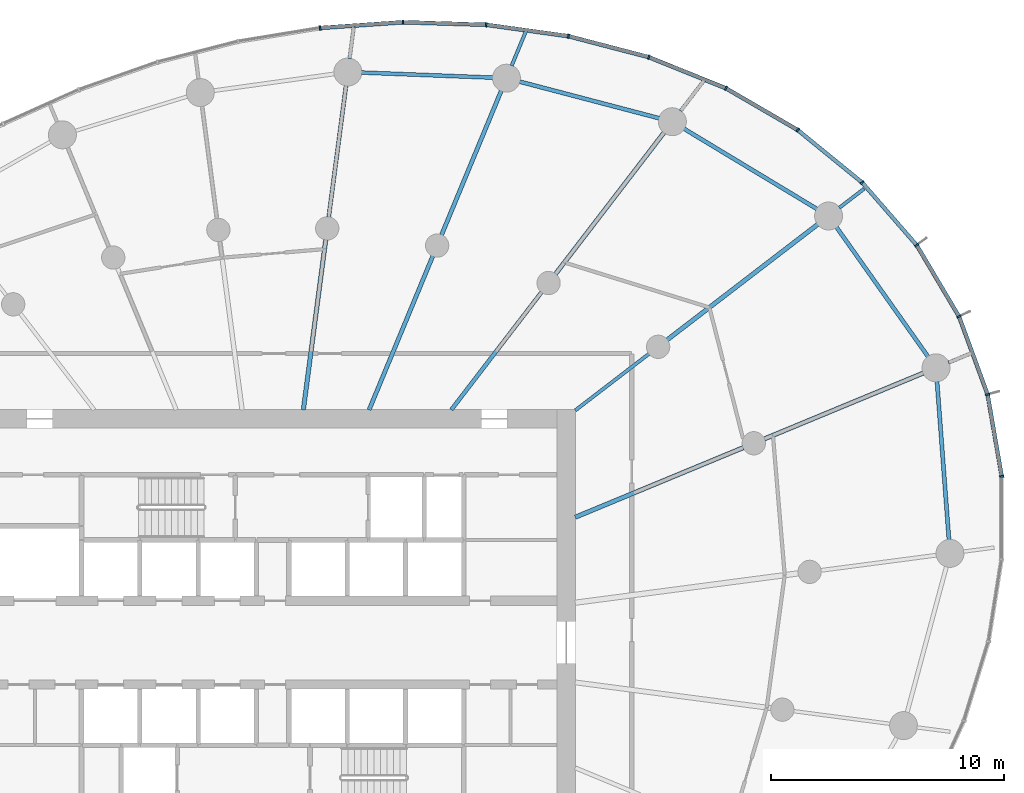
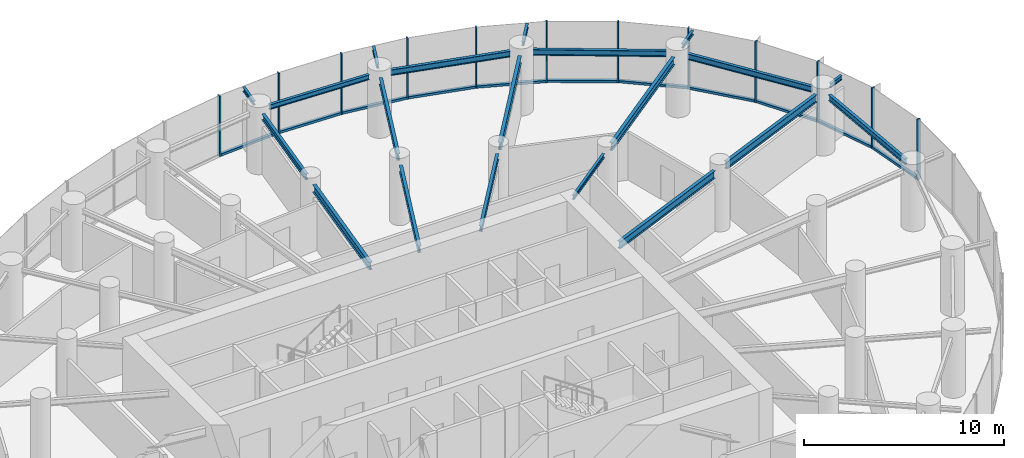
# One storey, part 7 of 17: 23 members, 20 beams, 3 elements without a shape of their own.
"""IFC4 building model written with IfcOpenShell, lengths in metres."""

from ifc_helpers import new_model, si_unit, direction, frame, origin, origin_2d, place, context, subcontext, project, spatial, rectangle, i_section, extrude, source, transform, mapped, material, layer, layer_set, material_profile, profile_set, type_object, element, aggregate, save


model = new_model("IFC4")

# Units and contexts
model_context = context("Model", 3, precision=1e-05, world=origin(), true_north=direction((0.0, 1.0)))
body_context = subcontext(model_context, "Body", "Model", "MODEL_VIEW")
ifc_project = project(units=[si_unit("LENGTHUNIT", "METRE"), si_unit("AREAUNIT", "SQUARE_METRE"), si_unit("VOLUMEUNIT", "CUBIC_METRE"), si_unit("PLANEANGLEUNIT", "RADIAN"), si_unit("MASSUNIT", "GRAM", prefix="KILO")], contexts=[model_context])

# Site, building, storey
site_placement = place(None, origin())
site = spatial("IfcSite", under=ifc_project, at=site_placement, CompositionType="ELEMENT")
building_placement = place(site_placement, origin())
building = spatial("IfcBuilding", under=site, at=building_placement, Name="Spindrift Exchange Tower", CompositionType="ELEMENT")
storey_placement = place(building_placement, frame((0.0, 0.0, 96.199951171875)))
storey = spatial("IfcBuildingStorey", under=building, at=storey_placement, Name="L22", CompositionType="ELEMENT", Elevation=96.199951171875)

# Beams
ifc_material_1 = material(Name="Steel Grade 300", Category="steel")
ifc_material_profile_1 = material_profile(ifc_material_1, i_section(OverallWidth=0.18994140625, OverallDepth=0.45703125, WebThickness=0.009033203125, FlangeThickness=0.014404296875, FilletRadius=0.013916015625, at=origin_2d()), Name="460UB74.6")
ifc_profile_set_1 = profile_set([ifc_material_profile_1], Name="Steel Grade 300")
beam_type_1 = type_object("IfcBeamType", Name="Floor Beam 460UB74.6 Steel Grade 300", PredefinedType="BEAM", material=ifc_profile_set_1)
shared_shape_1 = source(origin(), body_context, "Body", "SweptSolid", [
    extrude(i_section(OverallWidth=0.18994140625, OverallDepth=0.45703125, WebThickness=0.009033203125, FlangeThickness=0.014404296875, FilletRadius=0.013916015625, at=origin_2d()), origin(), (0.0, 0.0, 1.0), 7.808837890625),
])
beam_1_placement = place(storey_placement, frame((64.9814453125, 53.377197265625, 3.471435546875), z_axis=(0.92387965154, 0.382683145003, 0.0), x_axis=(-0.382683145003, 0.92387965154, 0.0)))
element("IfcBeam", 1, at=beam_1_placement, inside=storey, type_object=beam_type_1, Name="L22 radial beam R02A", PredefinedType="BEAM", context=body_context, shape_type="MappedRepresentation", body=[
    mapped(shared_shape_1, transform((0.0, 0.0, 0.0), scale=1.0)),
])
ifc_material_profile_2 = material_profile(ifc_material_1, i_section(OverallWidth=0.14599609375, OverallDepth=0.251953125, WebThickness=0.006103515625, FlangeThickness=0.008544921875, FilletRadius=0.011962890625, at=origin_2d()), Name="250UB31.4")
ifc_profile_set_2 = profile_set([ifc_material_profile_2], Name="Steel Grade 300")
beam_type_2 = type_object("IfcBeamType", Name="Floor Beam 250UB31.4 Steel Grade 300", PredefinedType="BEAM", material=ifc_profile_set_2)
shared_shape_2 = source(origin(), body_context, "Body", "SweptSolid", [
    extrude(i_section(OverallWidth=0.14599609375, OverallDepth=0.251953125, WebThickness=0.006103515625, FlangeThickness=0.008544921875, FilletRadius=0.011962890625, at=origin_2d()), origin(), (0.0, 0.0, 1.0), 3.99560546875),
])
beam_2_placement = place(storey_placement, frame((64.984130859375, 57.963134765625, 3.573974609375), z_axis=(0.793352561574, 0.608762443851, 0.0), x_axis=(-0.608762443851, 0.793352561574, 0.0)))
element("IfcBeam", 2, at=beam_2_placement, inside=storey, type_object=beam_type_2, Name="L22 radial beam R03A", PredefinedType="BEAM", context=body_context, shape_type="MappedRepresentation", body=[
    mapped(shared_shape_2, transform((0.0, 0.0, 0.0), scale=1.0)),
])
ifc_material_profile_3 = material_profile(ifc_material_1, i_section(OverallWidth=0.172119140625, OverallDepth=0.35888671875, WebThickness=0.008056640625, FlangeThickness=0.012939453125, FilletRadius=0.013916015625, at=origin_2d()), Name="360UB56.7")
ifc_profile_set_3 = profile_set([ifc_material_profile_3], Name="Steel Grade 300")
beam_type_3 = type_object("IfcBeamType", Name="Floor Beam 360UB56.7 Steel Grade 300", PredefinedType="BEAM", material=ifc_profile_set_3)
shared_shape_3 = source(origin(), body_context, "Body", "SweptSolid", [
    extrude(i_section(OverallWidth=0.172119140625, OverallDepth=0.35888671875, WebThickness=0.008056640625, FlangeThickness=0.012939453125, FilletRadius=0.013916015625, at=origin_2d()), origin(), (0.0, 0.0, 1.0), 6.37646484375),
])
beam_3_placement = place(storey_placement, frame((59.6611328125, 57.984130859375, 3.5205078125), z_axis=(0.608766669952, 0.793349318747, 0.0), x_axis=(-0.793349318747, 0.608766669952, 0.0)))
element("IfcBeam", 3, at=beam_3_placement, inside=storey, type_object=beam_type_3, Name="L22 radial beam R04A", PredefinedType="BEAM", context=body_context, shape_type="MappedRepresentation", body=[
    mapped(shared_shape_3, transform((0.0, 0.0, 0.0), scale=1.0)),
])
ifc_material_profile_4 = material_profile(ifc_material_1, i_section(OverallWidth=0.177978515625, OverallDepth=0.406005859375, WebThickness=0.0078125, FlangeThickness=0.0126953125, FilletRadius=0.013916015625, at=origin_2d()), Name="410UB59.7")
ifc_profile_set_4 = profile_set([ifc_material_profile_4], Name="Steel Grade 300")
beam_type_4 = type_object("IfcBeamType", Name="Floor Beam 410UB59.7 Steel Grade 300", PredefinedType="BEAM", material=ifc_profile_set_4)
shared_shape_4 = source(origin(), body_context, "Body", "SweptSolid", [
    extrude(i_section(OverallWidth=0.177978515625, OverallDepth=0.406005859375, WebThickness=0.0078125, FlangeThickness=0.0126953125, FilletRadius=0.013916015625, at=origin_2d()), origin(), (0.0, 0.0, 1.0), 7.150634765625),
])
beam_4_placement = place(storey_placement, frame((56.134521484375, 57.9814453125, 3.4970703125), z_axis=(0.382665393358, 0.923887004306, 0.0), x_axis=(-0.923887004306, 0.382665393358, 0.0)))
element("IfcBeam", 4, at=beam_4_placement, inside=storey, type_object=beam_type_4, Name="L22 radial beam R05A", PredefinedType="BEAM", context=body_context, shape_type="MappedRepresentation", body=[
    mapped(shared_shape_4, transform((0.0, 0.0, 0.0), scale=1.0)),
])
shared_shape_5 = source(origin(), body_context, "Body", "SweptSolid", [
    extrude(i_section(OverallWidth=0.18994140625, OverallDepth=0.45703125, WebThickness=0.009033203125, FlangeThickness=0.014404296875, FilletRadius=0.013916015625, at=origin_2d()), origin(), (0.0, 0.0, 1.0), 7.374267578125),
])
beam_5_placement = place(storey_placement, frame((53.31396484375, 57.980224609375, 3.471435546875), z_axis=(0.130539295622, 0.99144313619, 0.0), x_axis=(-0.99144313619, 0.130539295622, 0.0)))
element("IfcBeam", 5, at=beam_5_placement, inside=storey, type_object=beam_type_1, Name="L22 radial beam R06A", PredefinedType="BEAM", context=body_context, shape_type="MappedRepresentation", body=[
    mapped(shared_shape_5, transform((0.0, 0.0, 0.0), scale=1.0)),
])
shared_shape_6 = source(origin(), body_context, "Body", "SweptSolid", [
    extrude(i_section(OverallWidth=0.18994140625, OverallDepth=0.45703125, WebThickness=0.009033203125, FlangeThickness=0.014404296875, FilletRadius=0.013916015625, at=origin_2d()), origin(), (0.0, 0.0, 1.0), 7.400146484375),
])
beam_6_placement = place(storey_placement, frame((73.082763671875, 56.73291015625, 3.471435546875), z_axis=(0.923886957755, 0.382665505749, 0.0), x_axis=(-0.382665505749, 0.923886957755, 0.0)))
element("IfcBeam", 6, at=beam_6_placement, inside=storey, type_object=beam_type_1, Name="L22 radial beam R02B", PredefinedType="BEAM", context=body_context, shape_type="MappedRepresentation", body=[
    mapped(shared_shape_6, transform((0.0, 0.0, 0.0), scale=1.0)),
])
shared_shape_7 = source(origin(), body_context, "Body", "SweptSolid", [
    extrude(i_section(OverallWidth=0.18994140625, OverallDepth=0.45703125, WebThickness=0.009033203125, FlangeThickness=0.014404296875, FilletRadius=0.013916015625, at=origin_2d()), origin(), (0.0, 0.0, 1.0), 8.158447265625),
])
beam_7_placement = place(storey_placement, frame((68.91552734375, 60.979736328125, 3.471435546875), z_axis=(0.793358732539, 0.608754401631, 0.0), x_axis=(-0.608754401631, 0.793358732539, 0.0)))
element("IfcBeam", 7, at=beam_7_placement, inside=storey, type_object=beam_type_1, Name="L22 radial beam R03B", PredefinedType="BEAM", context=body_context, shape_type="MappedRepresentation", body=[
    mapped(shared_shape_7, transform((0.0, 0.0, 0.0), scale=1.0)),
])
shared_shape_8 = source(origin(), body_context, "Body", "SweptSolid", [
    extrude(i_section(OverallWidth=0.18994140625, OverallDepth=0.45703125, WebThickness=0.009033203125, FlangeThickness=0.014404296875, FilletRadius=0.013916015625, at=origin_2d()), origin(), (0.0, 0.0, 1.0), 7.663818359375),
])
beam_8_placement = place(storey_placement, frame((64.127197265625, 63.8046875, 3.471435546875), z_axis=(0.608771227503, 0.793345821546, 0.0), x_axis=(-0.793345821546, 0.608771227503, 0.0)))
element("IfcBeam", 8, at=beam_8_placement, inside=storey, type_object=beam_type_1, Name="L22 radial beam R04B", PredefinedType="BEAM", context=body_context, shape_type="MappedRepresentation", body=[
    mapped(shared_shape_8, transform((0.0, 0.0, 0.0), scale=1.0)),
])
shared_shape_9 = source(origin(), body_context, "Body", "SweptSolid", [
    extrude(i_section(OverallWidth=0.177978515625, OverallDepth=0.406005859375, WebThickness=0.0078125, FlangeThickness=0.0126953125, FilletRadius=0.013916015625, at=origin_2d()), origin(), (0.0, 0.0, 1.0), 6.71240234375),
])
beam_9_placement = place(storey_placement, frame((59.23828125, 65.474853515625, 3.4970703125), z_axis=(0.382669812754, 0.923885173821, 0.0), x_axis=(-0.923885173821, 0.382669812754, 0.0)))
element("IfcBeam", 9, at=beam_9_placement, inside=storey, type_object=beam_type_4, Name="L22 radial beam R05B", PredefinedType="BEAM", context=body_context, shape_type="MappedRepresentation", body=[
    mapped(shared_shape_9, transform((0.0, 0.0, 0.0), scale=1.0)),
])
shared_shape_10 = source(origin(), body_context, "Body", "SweptSolid", [
    extrude(i_section(OverallWidth=0.172119140625, OverallDepth=0.35888671875, WebThickness=0.008056640625, FlangeThickness=0.012939453125, FilletRadius=0.013916015625, at=origin_2d()), origin(), (0.0, 0.0, 1.0), 5.70751953125),
])
beam_10_placement = place(storey_placement, frame((54.40185546875, 66.2431640625, 3.5205078125), z_axis=(0.130507624881, 0.991447305634, 0.0), x_axis=(-0.991447305634, 0.130507624881, 0.0)))
element("IfcBeam", 10, at=beam_10_placement, inside=storey, type_object=beam_type_3, Name="L22 radial beam R06B", PredefinedType="BEAM", context=body_context, shape_type="MappedRepresentation", body=[
    mapped(shared_shape_10, transform((0.0, 0.0, 0.0), scale=1.0)),
])
ifc_material_profile_5 = material_profile(ifc_material_1, i_section(OverallWidth=0.172119140625, OverallDepth=0.35888671875, WebThickness=0.008056640625, FlangeThickness=0.012939453125, FilletRadius=0.013916015625, at=origin_2d()), Name="360UB56.7")
ifc_profile_set_5 = profile_set([ifc_material_profile_5], Name="Steel Grade 300")
beam_type_5 = type_object("IfcBeamType", Name="Edge Beam 360UB56.7 Steel Grade 300", PredefinedType="SPANDREL", material=ifc_profile_set_5)
shared_shape_11 = source(origin(), body_context, "Body", "SweptSolid", [
    extrude(i_section(OverallWidth=0.172119140625, OverallDepth=0.35888671875, WebThickness=0.008056640625, FlangeThickness=0.012939453125, FilletRadius=0.013916015625, at=origin_2d()), origin(), (0.0, 0.0, 1.0), 6.82373046875),
])
beam_11_placement = place(storey_placement, frame((81.0126953125, 52.40380859375, 3.5205078125), z_axis=(-0.075276463877, 0.997162701863, 0.0), x_axis=(-0.997162701863, -0.075276463877, 0.0)))
element("IfcBeam", 11, at=beam_11_placement, inside=storey, type_object=beam_type_5, Name="L22 edge beam E01", PredefinedType="SPANDREL", context=body_context, shape_type="MappedRepresentation", body=[
    mapped(shared_shape_11, transform((0.0, 0.0, 0.0), scale=1.0)),
])
shared_shape_12 = source(origin(), body_context, "Body", "SweptSolid", [
    extrude(i_section(OverallWidth=0.172119140625, OverallDepth=0.35888671875, WebThickness=0.008056640625, FlangeThickness=0.012939453125, FilletRadius=0.013916015625, at=origin_2d()), origin(), (0.0, 0.0, 1.0), 6.81787109375),
])
beam_12_placement = place(storey_placement, frame((80.12060546875, 60.260009765625, 3.5205078125), z_axis=(-0.577526426198, 0.816371990604, 0.0), x_axis=(-0.816371990604, -0.577526426198, 0.0)))
element("IfcBeam", 12, at=beam_12_placement, inside=storey, type_object=beam_type_5, Name="L22 edge beam E02", PredefinedType="SPANDREL", context=body_context, shape_type="MappedRepresentation", body=[
    mapped(shared_shape_12, transform((0.0, 0.0, 0.0), scale=1.0)),
])
shared_shape_13 = source(origin(), body_context, "Body", "SweptSolid", [
    extrude(i_section(OverallWidth=0.172119140625, OverallDepth=0.35888671875, WebThickness=0.008056640625, FlangeThickness=0.012939453125, FilletRadius=0.013916015625, at=origin_2d()), origin(), (0.0, 0.0, 1.0), 6.668701171875),
])
beam_13_placement = place(storey_placement, frame((75.3515625, 66.59912109375, 3.5205078125), z_axis=(-0.856133207479, 0.516755194508, 0.0), x_axis=(-0.516755194508, -0.856133207479, 0.0)))
element("IfcBeam", 13, at=beam_13_placement, inside=storey, type_object=beam_type_5, Name="L22 edge beam E03", PredefinedType="SPANDREL", context=body_context, shape_type="MappedRepresentation", body=[
    mapped(shared_shape_13, transform((0.0, 0.0, 0.0), scale=1.0)),
])
shared_shape_14 = source(origin(), body_context, "Body", "SweptSolid", [
    extrude(i_section(OverallWidth=0.172119140625, OverallDepth=0.35888671875, WebThickness=0.008056640625, FlangeThickness=0.012939453125, FilletRadius=0.013916015625, at=origin_2d()), origin(), (0.0, 0.0, 1.0), 6.197509765625),
])
beam_14_placement = place(storey_placement, frame((68.584716796875, 70.491943359375, 3.5205078125), z_axis=(-0.967254420813, 0.253808757567, 0.0), x_axis=(-0.253808757567, -0.967254420813, 0.0)))
element("IfcBeam", 14, at=beam_14_placement, inside=storey, type_object=beam_type_5, Name="L22 edge beam E04", PredefinedType="SPANDREL", context=body_context, shape_type="MappedRepresentation", body=[
    mapped(shared_shape_14, transform((0.0, 0.0, 0.0), scale=1.0)),
])
ifc_material_profile_6 = material_profile(ifc_material_1, i_section(OverallWidth=0.1650390625, OverallDepth=0.303955078125, WebThickness=0.006103515625, FlangeThickness=0.01025390625, FilletRadius=0.011474609375, at=origin_2d()), Name="310UB40.4")
ifc_profile_set_6 = profile_set([ifc_material_profile_6], Name="Steel Grade 300")
beam_type_6 = type_object("IfcBeamType", Name="Edge Beam 310UB40.4 Steel Grade 300", PredefinedType="SPANDREL", material=ifc_profile_set_6)
shared_shape_15 = source(origin(), body_context, "Body", "SweptSolid", [
    extrude(i_section(OverallWidth=0.1650390625, OverallDepth=0.303955078125, WebThickness=0.006103515625, FlangeThickness=0.01025390625, FilletRadius=0.011474609375, at=origin_2d()), origin(), (0.0, 0.0, 1.0), 5.65185546875),
])
beam_15_placement = place(storey_placement, frame((61.449462890625, 72.234619140625, 3.548095703125), z_axis=(-0.99924397539, 0.038877726865, 0.0), x_axis=(-0.038877726865, -0.99924397539, 0.0)))
element("IfcBeam", 15, at=beam_15_placement, inside=storey, type_object=beam_type_6, Name="L22 edge beam E05", PredefinedType="SPANDREL", context=body_context, shape_type="MappedRepresentation", body=[
    mapped(shared_shape_15, transform((0.0, 0.0, 0.0), scale=1.0)),
])
ifc_material_profile_7 = material_profile(ifc_material_1, i_section(OverallWidth=0.14599609375, OverallDepth=0.251953125, WebThickness=0.006103515625, FlangeThickness=0.008544921875, FilletRadius=0.011962890625, at=origin_2d()), Name="250UB31.4")
ifc_profile_set_7 = profile_set([ifc_material_profile_7], Name="Steel Grade 300")
beam_type_7 = type_object("IfcBeamType", Name="Cantilever Beam 250UB31.4 Steel Grade 300", PredefinedType="BEAM", material=ifc_profile_set_7)
shared_shape_16 = source(origin(), body_context, "Body", "SweptSolid", [
    extrude(i_section(OverallWidth=0.14599609375, OverallDepth=0.251953125, WebThickness=0.006103515625, FlangeThickness=0.008544921875, FilletRadius=0.011962890625, at=origin_2d()), origin(), (0.0, 0.0, 1.0), 0.9267578125),
])
beam_16_placement = place(storey_placement, frame((80.9912109375, 60.008544921875, 3.573974609375), z_axis=(0.923846648553, 0.382762811619, 0.0), x_axis=(-0.382762811619, 0.923846648553, 0.0)))
element("IfcBeam", 16, at=beam_16_placement, inside=storey, type_object=beam_type_7, Name="L22 cantilever beam R02T", PredefinedType="BEAM", context=body_context, shape_type="MappedRepresentation", body=[
    mapped(shared_shape_16, transform((0.0, 0.0, 0.0), scale=1.0)),
])
shared_shape_17 = source(origin(), body_context, "Body", "SweptSolid", [
    extrude(i_section(OverallWidth=0.14599609375, OverallDepth=0.251953125, WebThickness=0.006103515625, FlangeThickness=0.008544921875, FilletRadius=0.011962890625, at=origin_2d()), origin(), (0.0, 0.0, 1.0), 1.33740234375),
])
beam_17_placement = place(storey_placement, frame((76.308349609375, 66.652587890625, 3.573974609375), z_axis=(0.793424144756, 0.608669143722, 0.0), x_axis=(-0.608669143722, 0.793424144756, 0.0)))
element("IfcBeam", 17, at=beam_17_placement, inside=storey, type_object=beam_type_7, Name="L22 cantilever beam R03T", PredefinedType="BEAM", context=body_context, shape_type="MappedRepresentation", body=[
    mapped(shared_shape_17, transform((0.0, 0.0, 0.0), scale=1.0)),
])
shared_shape_18 = source(origin(), body_context, "Body", "SweptSolid", [
    extrude(i_section(OverallWidth=0.14599609375, OverallDepth=0.251953125, WebThickness=0.006103515625, FlangeThickness=0.008544921875, FilletRadius=0.011962890625, at=origin_2d()), origin(), (0.0, 0.0, 1.0), 1.67724609375),
])
beam_18_placement = place(storey_placement, frame((69.498779296875, 70.804931640625, 3.573974609375), z_axis=(0.608767651561, 0.79334856552, 0.0), x_axis=(-0.79334856552, 0.608767651561, 0.0)))
element("IfcBeam", 18, at=beam_18_placement, inside=storey, type_object=beam_type_7, Name="L22 cantilever beam R04T", PredefinedType="BEAM", context=body_context, shape_type="MappedRepresentation", body=[
    mapped(shared_shape_18, transform((0.0, 0.0, 0.0), scale=1.0)),
])
shared_shape_19 = source(origin(), body_context, "Body", "SweptSolid", [
    extrude(i_section(OverallWidth=0.14599609375, OverallDepth=0.251953125, WebThickness=0.006103515625, FlangeThickness=0.008544921875, FilletRadius=0.011962890625, at=origin_2d()), origin(), (0.0, 0.0, 1.0), 1.62890625),
])
beam_19_placement = place(storey_placement, frame((62.2509765625, 72.748046875, 3.573974609375), z_axis=(0.382656259044, 0.923890787601, 0.0), x_axis=(-0.923890787601, 0.382656259044, 0.0)))
element("IfcBeam", 19, at=beam_19_placement, inside=storey, type_object=beam_type_7, Name="L22 cantilever beam R05T", PredefinedType="BEAM", context=body_context, shape_type="MappedRepresentation", body=[
    mapped(shared_shape_19, transform((0.0, 0.0, 0.0), scale=1.0)),
])
shared_shape_20 = source(origin(), body_context, "Body", "SweptSolid", [
    extrude(i_section(OverallWidth=0.14599609375, OverallDepth=0.251953125, WebThickness=0.006103515625, FlangeThickness=0.008544921875, FilletRadius=0.011962890625, at=origin_2d()), origin(), (0.0, 0.0, 1.0), 1.366943359375),
])
beam_20_placement = place(storey_placement, frame((55.298095703125, 73.0517578125, 3.573974609375), z_axis=(0.130560775534, 0.991440307781, 0.0), x_axis=(-0.991440307781, 0.130560775534, 0.0)))
element("IfcBeam", 20, at=beam_20_placement, inside=storey, type_object=beam_type_7, Name="L22 cantilever beam R06T", PredefinedType="BEAM", context=body_context, shape_type="MappedRepresentation", body=[
    mapped(shared_shape_20, transform((0.0, 0.0, 0.0), scale=1.0)),
])

# Curtain wall, members
ifc_material_2 = material(Name="Fritted laminated glass with bronze frame", Category="glass")
ifc_layer = layer(ifc_material_2, 0.18994140625)
ifc_layer_set = layer_set([ifc_layer], Name="ZONE 2 BRONZE FRITTED WALL")
curtain_wall_type = type_object("IfcCurtainWallType", Name="ZONE 2 BRONZE FRITTED WALL", PredefinedType="NOTDEFINED", material=ifc_layer_set)
curtain_wall_1_placement = place(storey_placement, origin())
curtain_wall_1 = element("IfcCurtainWall", 21, at=curtain_wall_1_placement, inside=storey, type_object=curtain_wall_type, Name="L22 Zone 2 Bronze Fritted Wall run 1", PredefinedType="NOTDEFINED")
ifc_material_3 = material(Name="Bronze anodised aluminium", Category="aluminium")
ifc_material_profile_8 = material_profile(ifc_material_3, rectangle(XDim=0.074951171875, YDim=0.18994140625, at=origin_2d()), Name="ZONE 2 BRONZE FRITTED WALL MULLION 75X190")
ifc_profile_set_8 = profile_set([ifc_material_profile_8], Name="Bronze anodised aluminium")
member_type_1 = type_object("IfcMemberType", Name="ZONE 2 BRONZE FRITTED WALL MULLION 75X190", PredefinedType="MULLION", material=ifc_profile_set_8)
shared_shape_21 = source(origin(), body_context, "Body", "SweptSolid", [
    extrude(rectangle(XDim=0.074951171875, YDim=0.18994140625, at=origin_2d()), origin(), (0.0, 0.0, 1.0), 3.699951171875),
])
member_1_placement = place(storey_placement, frame((81.444091796875, 61.9873046875, 0.0), z_axis=(0.0, 0.0, 1.0), x_axis=(-0.429075534461, 0.903268612167, 0.0)))
member_1 = element("IfcMember", 22, at=member_1_placement, type_object=member_type_1, Name="L22 mullion CW-2.1", PredefinedType="MULLION", context=body_context, shape_type="MappedRepresentation", body=[
    mapped(shared_shape_21, transform((0.0, 0.0, 0.0), scale=1.0)),
])
member_2_placement = place(storey_placement, frame((79.625732421875, 65.051025390625, 0.0), z_axis=(0.0, 0.0, 1.0), x_axis=(-0.585890359023, 0.810390330152, 0.0)))
member_2 = element("IfcMember", 23, at=member_2_placement, type_object=member_type_1, Name="L22 mullion CW-2.2", PredefinedType="MULLION", context=body_context, shape_type="MappedRepresentation", body=[
    mapped(shared_shape_21, transform((0.0, 0.0, 0.0), scale=1.0)),
])
member_3_placement = place(storey_placement, frame((77.2861328125, 67.73828125, 0.0), z_axis=(0.0, 0.0, 1.0), x_axis=(-0.718541696304, 0.695483882396, 0.0)))
member_3 = element("IfcMember", 24, at=member_3_placement, type_object=member_type_1, Name="L22 mullion CW-2.3", PredefinedType="MULLION", context=body_context, shape_type="MappedRepresentation", body=[
    mapped(shared_shape_21, transform((0.0, 0.0, 0.0), scale=1.0)),
])
member_4_placement = place(storey_placement, frame((74.5234375, 69.989501953125, 0.0), z_axis=(0.0, 0.0, 1.0), x_axis=(-0.822439211341, 0.568853007067, 0.0)))
member_4 = element("IfcMember", 25, at=member_4_placement, type_object=member_type_1, Name="L22 mullion CW-2.4", PredefinedType="MULLION", context=body_context, shape_type="MappedRepresentation", body=[
    mapped(shared_shape_21, transform((0.0, 0.0, 0.0), scale=1.0)),
])
member_5_placement = place(storey_placement, frame((71.441650390625, 71.78076171875, 0.0), z_axis=(0.0, 0.0, 1.0), x_axis=(-0.898192240114, 0.439602888752, 0.0)))
member_5 = element("IfcMember", 26, at=member_5_placement, type_object=member_type_1, Name="L22 mullion CW-2.5", PredefinedType="MULLION", context=body_context, shape_type="MappedRepresentation", body=[
    mapped(shared_shape_21, transform((0.0, 0.0, 0.0), scale=1.0)),
])
member_6_placement = place(storey_placement, frame((68.135986328125, 73.115478515625, 0.0), z_axis=(0.0, 0.0, 1.0), x_axis=(-0.949446094105, 0.313930110676, 0.0)))
member_6 = element("IfcMember", 27, at=member_6_placement, type_object=member_type_1, Name="L22 mullion CW-2.6", PredefinedType="MULLION", context=body_context, shape_type="MappedRepresentation", body=[
    mapped(shared_shape_21, transform((0.0, 0.0, 0.0), scale=1.0)),
])

curtain_wall_2_placement = place(storey_placement, origin())
curtain_wall_2 = element("IfcCurtainWall", 28, at=curtain_wall_2_placement, inside=storey, type_object=curtain_wall_type, Name="L22 Zone 2 Bronze Fritted Wall run 2", PredefinedType="NOTDEFINED")
member_7_placement = place(storey_placement, frame((64.685791015625, 74.014404296875, 0.0), z_axis=(0.0, 0.0, 1.0), x_axis=(-0.980795695236, 0.195037955809, 0.0)))
member_7 = element("IfcMember", 29, at=member_7_placement, type_object=member_type_1, Name="L22 mullion CW-2.7", PredefinedType="MULLION", context=body_context, shape_type="MappedRepresentation", body=[
    mapped(shared_shape_21, transform((0.0, 0.0, 0.0), scale=1.0)),
])
member_8_placement = place(storey_placement, frame((61.153564453125, 74.504150390625, 0.0), z_axis=(0.0, 0.0, 1.0), x_axis=(-0.996465912997, 0.083998120427, 0.0)))
member_8 = element("IfcMember", 30, at=member_8_placement, type_object=member_type_1, Name="L22 mullion CW-2.8", PredefinedType="MULLION", context=body_context, shape_type="MappedRepresentation", body=[
    mapped(shared_shape_21, transform((0.0, 0.0, 0.0), scale=1.0)),
])
member_9_placement = place(storey_placement, frame((57.589111328125, 74.61279296875, 0.0), z_axis=(0.0, 0.0, 1.0), x_axis=(-0.999814547202, -0.019258016604, 0.0)))
member_9 = element("IfcMember", 31, at=member_9_placement, type_object=member_type_1, Name="L22 mullion CW-2.9", PredefinedType="MULLION", context=body_context, shape_type="MappedRepresentation", body=[
    mapped(shared_shape_21, transform((0.0, 0.0, 0.0), scale=1.0)),
])
member_10_placement = place(storey_placement, frame((54.03125, 74.366943359375, 0.0), z_axis=(0.0, 0.0, 1.0), x_axis=(-0.993313124942, -0.115451443553, 0.0)))
member_10 = element("IfcMember", 32, at=member_10_placement, type_object=member_type_1, Name="L22 mullion CW-2.10", PredefinedType="MULLION", context=body_context, shape_type="MappedRepresentation", body=[
    mapped(shared_shape_21, transform((0.0, 0.0, 0.0), scale=1.0)),
])

curtain_wall_3_placement = place(storey_placement, origin())
curtain_wall_3 = element("IfcCurtainWall", 33, at=curtain_wall_3_placement, inside=storey, type_object=curtain_wall_type, Name="L22 Zone 2 Bronze Fritted Wall run 9", PredefinedType="NOTDEFINED")
member_11_placement = place(storey_placement, frame((83.275390625, 55.130859375, 0.0), z_axis=(0.0, 0.0, 1.0), x_axis=(-0.085180956504, 0.99636549752, 0.0)))
member_11 = element("IfcMember", 34, at=member_11_placement, type_object=member_type_1, Name="L22 mullion CW-2.50", PredefinedType="MULLION", context=body_context, shape_type="MappedRepresentation", body=[
    mapped(shared_shape_21, transform((0.0, 0.0, 0.0), scale=1.0)),
])
member_12_placement = place(storey_placement, frame((82.670166015625, 58.64208984375, 0.0), z_axis=(0.0, 0.0, 1.0), x_axis=(-0.258039188551, 0.966134450877, 0.0)))
member_12 = element("IfcMember", 35, at=member_12_placement, type_object=member_type_1, Name="L22 mullion CW-2.51", PredefinedType="MULLION", context=body_context, shape_type="MappedRepresentation", body=[
    mapped(shared_shape_21, transform((0.0, 0.0, 0.0), scale=1.0)),
])
ifc_material_profile_9 = material_profile(ifc_material_3, rectangle(XDim=0.169921875, YDim=0.139892578125, at=origin_2d()), Name="ZONE 2 BRONZE FRITTED WALL TRANSOM 170X140")
ifc_profile_set_9 = profile_set([ifc_material_profile_9], Name="Bronze anodised aluminium")
member_type_2 = type_object("IfcMemberType", Name="ZONE 2 BRONZE FRITTED WALL TRANSOM 170X140", PredefinedType="USERDEFINED", material=ifc_profile_set_9)
shared_shape_22 = source(origin(), body_context, "Body", "SweptSolid", [
    extrude(rectangle(XDim=0.169921875, YDim=0.139892578125, at=origin_2d()), origin(), (0.0, 0.0, 1.0), 3.48828125),
])
member_13_placement = place(storey_placement, frame((83.26904296875, 55.167724609375, 0.070068359375), z_axis=(-0.169867071862, 0.985466984681, 0.0), x_axis=(-0.985466984681, -0.169867071862, 0.0)))
member_13 = element("IfcMember", 36, at=member_13_placement, type_object=member_type_2, Name="L22 transom CW-2.50", ObjectType="TRANSOM", PredefinedType="USERDEFINED", context=body_context, shape_type="MappedRepresentation", body=[
    mapped(shared_shape_22, transform((0.0, 0.0, 0.0), scale=1.0)),
])

# Member
shared_shape_23 = source(origin(), body_context, "Body", "SweptSolid", [
    extrude(rectangle(XDim=0.169921875, YDim=0.139892578125, at=origin_2d()), origin(), (0.0, 0.0, 1.0), 3.48779296875),
])
member_14_placement = place(storey_placement, frame((81.425048828125, 62.01953125, 0.070068359375), z_axis=(-0.510423922895, 0.859922914532, 0.0), x_axis=(-0.859922914532, -0.510423922895, 0.0)))
member_14 = element("IfcMember", 37, at=member_14_placement, type_object=member_type_2, Name="L22 transom CW-2.1", ObjectType="TRANSOM", PredefinedType="USERDEFINED", context=body_context, shape_type="MappedRepresentation", body=[
    mapped(shared_shape_23, transform((0.0, 0.0, 0.0), scale=1.0)),
])

member_15_placement = place(storey_placement, frame((82.6572265625, 58.67724609375, 0.070068359375), z_axis=(-0.344125065128, 0.938923819887, 0.0), x_axis=(-0.938923819887, -0.344125065128, 0.0)))
member_15 = element("IfcMember", 38, at=member_15_placement, type_object=member_type_2, Name="L22 transom CW-2.51", ObjectType="TRANSOM", PredefinedType="USERDEFINED", context=body_context, shape_type="MappedRepresentation", body=[
    mapped(shared_shape_23, transform((0.0, 0.0, 0.0), scale=1.0)),
])

aggregate(curtain_wall_3, [member_11, member_13, member_12, member_15])

shared_shape_24 = source(origin(), body_context, "Body", "SweptSolid", [
    extrude(rectangle(XDim=0.169921875, YDim=0.139892578125, at=origin_2d()), origin(), (0.0, 0.0, 1.0), 3.489501953125),
])
member_16_placement = place(storey_placement, frame((74.490966796875, 70.00830078125, 0.070068359375), z_axis=(-0.864546775669, 0.502552358148, 0.0), x_axis=(-0.502552358148, -0.864546775669, 0.0)))
member_16 = element("IfcMember", 39, at=member_16_placement, type_object=member_type_2, Name="L22 transom CW-2.4", ObjectType="TRANSOM", PredefinedType="USERDEFINED", context=body_context, shape_type="MappedRepresentation", body=[
    mapped(shared_shape_24, transform((0.0, 0.0, 0.0), scale=1.0)),
])

shared_shape_25 = source(origin(), body_context, "Body", "SweptSolid", [
    extrude(rectangle(XDim=0.169921875, YDim=0.139892578125, at=origin_2d()), origin(), (0.0, 0.0, 1.0), 3.49072265625),
])
member_17_placement = place(storey_placement, frame((68.099853515625, 73.125, 0.070068359375), z_axis=(-0.967692245146, 0.252134326666, 0.0), x_axis=(-0.252134326666, -0.967692245146, 0.0)))
member_17 = element("IfcMember", 40, at=member_17_placement, type_object=member_type_2, Name="L22 transom CW-2.6", ObjectType="TRANSOM", PredefinedType="USERDEFINED", context=body_context, shape_type="MappedRepresentation", body=[
    mapped(shared_shape_25, transform((0.0, 0.0, 0.0), scale=1.0)),
])

shared_shape_26 = source(origin(), body_context, "Body", "SweptSolid", [
    extrude(rectangle(XDim=0.169921875, YDim=0.139892578125, at=origin_2d()), origin(), (0.0, 0.0, 1.0), 3.491455078125),
])
member_18_placement = place(storey_placement, frame((61.1162109375, 74.505126953125, 0.070068359375), z_axis=(-0.999535128942, 0.03048812902, 0.0), x_axis=(-0.03048812902, -0.999535128942, 0.0)))
member_18 = element("IfcMember", 41, at=member_18_placement, type_object=member_type_2, Name="L22 transom CW-2.8", ObjectType="TRANSOM", PredefinedType="USERDEFINED", context=body_context, shape_type="MappedRepresentation", body=[
    mapped(shared_shape_26, transform((0.0, 0.0, 0.0), scale=1.0)),
])

member_19_placement = place(storey_placement, frame((57.5517578125, 74.610107421875, 0.070068359375), z_axis=(-0.997620387851, -0.068946078532, 0.0), x_axis=(0.068946078532, -0.997620387851, 0.0)))
member_19 = element("IfcMember", 42, at=member_19_placement, type_object=member_type_2, Name="L22 transom CW-2.9", ObjectType="TRANSOM", PredefinedType="USERDEFINED", context=body_context, shape_type="MappedRepresentation", body=[
    mapped(shared_shape_26, transform((0.0, 0.0, 0.0), scale=1.0)),
])

shared_shape_27 = source(origin(), body_context, "Body", "SweptSolid", [
    extrude(rectangle(XDim=0.169921875, YDim=0.139892578125, at=origin_2d()), origin(), (0.0, 0.0, 1.0), 3.490966796875),
])
member_20_placement = place(storey_placement, frame((64.6484375, 74.01953125, 0.070068359375), z_axis=(-0.99052163377, 0.137356809202, 0.0), x_axis=(-0.137356809202, -0.99052163377, 0.0)))
member_20 = element("IfcMember", 43, at=member_20_placement, type_object=member_type_2, Name="L22 transom CW-2.7", ObjectType="TRANSOM", PredefinedType="USERDEFINED", context=body_context, shape_type="MappedRepresentation", body=[
    mapped(shared_shape_27, transform((0.0, 0.0, 0.0), scale=1.0)),
])

aggregate(curtain_wall_2, [member_7, member_20, member_8, member_18, member_9, member_19, member_10])

shared_shape_28 = source(origin(), body_context, "Body", "SweptSolid", [
    extrude(rectangle(XDim=0.169921875, YDim=0.139892578125, at=origin_2d()), origin(), (0.0, 0.0, 1.0), 3.488037109375),
])
member_21_placement = place(storey_placement, frame((79.60107421875, 65.079345703125, 0.070068359375), z_axis=(-0.656599697924, 0.754239243666, 0.0), x_axis=(-0.754239243666, -0.656599697924, 0.0)))
member_21 = element("IfcMember", 44, at=member_21_placement, type_object=member_type_2, Name="L22 transom CW-2.2", ObjectType="TRANSOM", PredefinedType="USERDEFINED", context=body_context, shape_type="MappedRepresentation", body=[
    mapped(shared_shape_28, transform((0.0, 0.0, 0.0), scale=1.0)),
])

shared_shape_29 = source(origin(), body_context, "Body", "SweptSolid", [
    extrude(rectangle(XDim=0.169921875, YDim=0.139892578125, at=origin_2d()), origin(), (0.0, 0.0, 1.0), 3.48876953125),
])
member_22_placement = place(storey_placement, frame((77.257080078125, 67.76220703125, 0.070068359375), z_axis=(-0.775252754574, 0.631651143057, 0.0), x_axis=(-0.631651143057, -0.775252754574, 0.0)))
member_22 = element("IfcMember", 45, at=member_22_placement, type_object=member_type_2, Name="L22 transom CW-2.3", ObjectType="TRANSOM", PredefinedType="USERDEFINED", context=body_context, shape_type="MappedRepresentation", body=[
    mapped(shared_shape_29, transform((0.0, 0.0, 0.0), scale=1.0)),
])

shared_shape_30 = source(origin(), body_context, "Body", "SweptSolid", [
    extrude(rectangle(XDim=0.169921875, YDim=0.139892578125, at=origin_2d()), origin(), (0.0, 0.0, 1.0), 3.489990234375),
])
member_23_placement = place(storey_placement, frame((71.406982421875, 71.794677734375, 0.070068359375), z_axis=(-0.927241370005, 0.374464206234, 0.0), x_axis=(-0.374464206234, -0.927241370005, 0.0)))
member_23 = element("IfcMember", 46, at=member_23_placement, type_object=member_type_2, Name="L22 transom CW-2.5", ObjectType="TRANSOM", PredefinedType="USERDEFINED", context=body_context, shape_type="MappedRepresentation", body=[
    mapped(shared_shape_30, transform((0.0, 0.0, 0.0), scale=1.0)),
])

aggregate(curtain_wall_1, [member_1, member_14, member_2, member_21, member_3, member_22, member_4, member_16, member_5, member_23, member_6, member_17])

save(model, "model.ifc")
